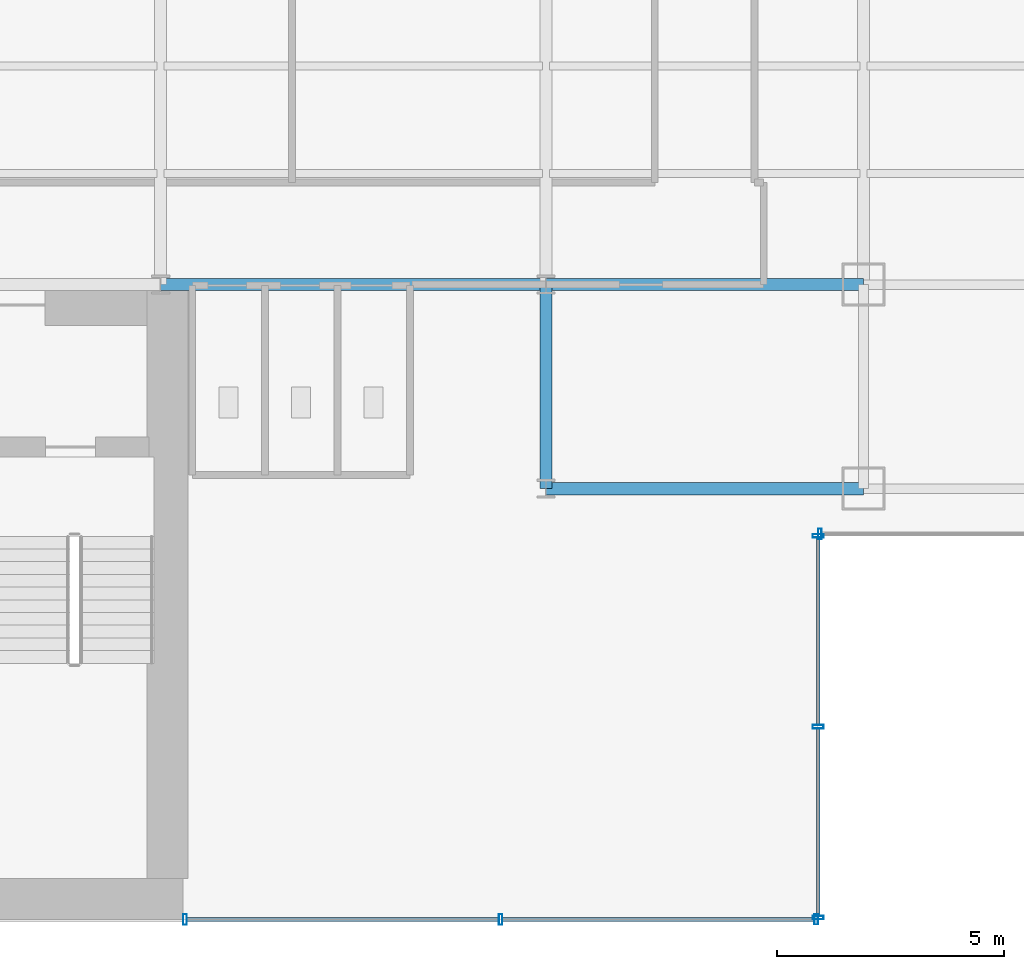
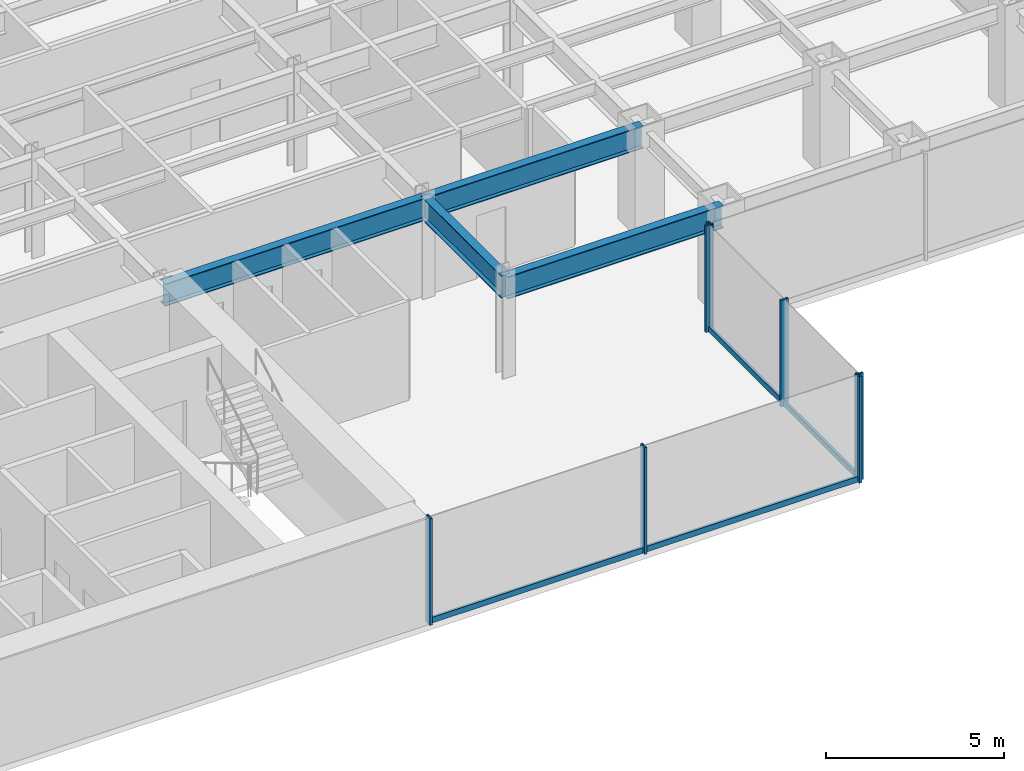
# One storey, part 6 of 22: 11 members, 4 beams, 3 elements without a shape of their own.
"""IFC4 building model written with IfcOpenShell, lengths in metres."""

from ifc_helpers import new_model, si_unit, derived_unit, direction, frame, origin, origin_2d, place, context, subcontext, project, spatial, hollow_rectangle, i_section, extrude, source, transform, mapped, material, material_profile, profile_set, type_object, element, aggregate, save


model = new_model("IFC4")

# Units and contexts
model_context = context("Model", 3, precision=1e-05, world=origin(), true_north=direction((0.0, 1.0)))
body_context = subcontext(model_context, "Body", "Model", "MODEL_VIEW")
ifc_project = project(units=[si_unit("LENGTHUNIT", "METRE"), si_unit("AREAUNIT", "SQUARE_METRE"), si_unit("VOLUMEUNIT", "CUBIC_METRE"), si_unit("PLANEANGLEUNIT", "RADIAN"), si_unit("MASSUNIT", "GRAM", prefix="KILO"), derived_unit("THERMALTRANSMITTANCEUNIT", [(si_unit("POWERUNIT", "WATT"), 1), (si_unit("LENGTHUNIT", "METRE"), -2), (si_unit("THERMODYNAMICTEMPERATUREUNIT", "KELVIN"), -1)])], contexts=[model_context])

# Site, building, storey
site_placement = place(None, origin())
site = spatial("IfcSite", under=ifc_project, at=site_placement, CompositionType="ELEMENT")
building_placement = place(site_placement, origin())
building = spatial("IfcBuilding", under=site, at=building_placement, Name="Skarnbrae Concourse Arena and Tower", CompositionType="ELEMENT")
storey_placement = place(building_placement, frame((0.0, 0.0, 69.0)))
storey = spatial("IfcBuildingStorey", under=building, at=storey_placement, Name="L16", CompositionType="ELEMENT", Elevation=69.0)

# Beams
ifc_material_1 = material(Name="Steel CSA G40.21 350W", Category="steel")
ifc_material_profile_1 = material_profile(ifc_material_1, i_section(OverallWidth=0.26806640625, OverallDepth=0.77001953125, WebThickness=0.015625, FlangeThickness=0.025390625, at=origin_2d()), Name="W760X196")
ifc_profile_set_1 = profile_set([ifc_material_profile_1], Name="Steel CSA G40.21 350W")
beam_type = type_object("IfcBeamType", Name="BM-GIRD-W760X196", PredefinedType="BEAM", material=ifc_profile_set_1)
shared_shape_1 = source(origin(), body_context, "Body", "SweptSolid", [
    extrude(i_section(OverallWidth=0.26806640625, OverallDepth=0.77001953125, WebThickness=0.015625, FlangeThickness=0.025390625, at=origin_2d()), origin(), (0.0, 0.0, 1.0), 7.0),
])
for number, where, z_axis, x_axis, name in (
    (1, (42.0, 9.5, 3.014892578125), (1.0, 0.0, 0.0), (0.0, 1.0, 0.0), "L16 Primary E-W girder Y9.5-2"),
    (2, (42.0, 14.0, 3.014892578125), (1.0, 0.0, 0.0), (0.0, 1.0, 0.0), "L16 Primary E-W girder Y14.0-7"),
):
    element("IfcBeam", number, at=place(storey_placement, frame(where, z_axis=z_axis, x_axis=x_axis)), inside=storey, type_object=beam_type, Name=name, PredefinedType="BEAM", context=body_context, shape_type="MappedRepresentation", body=[
        mapped(shared_shape_1, transform((0.0, 0.0, 0.0))),
    ])
shared_shape_2 = source(origin(), body_context, "Body", "SweptSolid", [
    extrude(i_section(OverallWidth=0.26806640625, OverallDepth=0.77001953125, WebThickness=0.015625, FlangeThickness=0.025390625, at=origin_2d()), origin(), (0.0, 0.0, 1.0), 8.5),
])
beam_1_placement = place(storey_placement, frame((33.5, 14.0, 3.014892578125), z_axis=(1.0, 0.0, 0.0), x_axis=(0.0, 1.0, 0.0)))
element("IfcBeam", 3, at=beam_1_placement, inside=storey, type_object=beam_type, Name="L16 Primary E-W girder Y14.0-6", PredefinedType="BEAM", context=body_context, shape_type="MappedRepresentation", body=[
    mapped(shared_shape_2, transform((0.0, 0.0, 0.0))),
])
shared_shape_3 = source(origin(), body_context, "Body", "SweptSolid", [
    extrude(i_section(OverallWidth=0.26806640625, OverallDepth=0.77001953125, WebThickness=0.015625, FlangeThickness=0.025390625, at=origin_2d()), origin(), (0.0, 0.0, 1.0), 4.5),
])
beam_2_placement = place(storey_placement, frame((42.0, 9.5, 3.014892578125), z_axis=(0.0, 1.0, 0.0), x_axis=(-1.0, 0.0, 0.0)))
element("IfcBeam", 4, at=beam_2_placement, inside=storey, type_object=beam_type, Name="L16 Primary N-S girder X42.0-1", PredefinedType="BEAM", context=body_context, shape_type="MappedRepresentation", body=[
    mapped(shared_shape_3, transform((0.0, 0.0, 0.0))),
])

# Curtain wall, members
ifc_material_2 = material(Name="Bronze anodised aluminium 6063-T6", Category="aluminium")
curtain_wall_type = type_object("IfcCurtainWallType", Name="CW-SYS-02-LOWZONE", PredefinedType="USERDEFINED", material=ifc_material_2)
curtain_wall_1_placement = place(storey_placement, origin())
curtain_wall_1 = element("IfcCurtainWall", 5, at=curtain_wall_1_placement, inside=storey, type_object=curtain_wall_type, Name="L16 Unitised curtain wall CW-L16-SE-SPINE", ObjectType="UNITISED CURTAIN WALL", PredefinedType="USERDEFINED")
ifc_material_profile_2 = material_profile(ifc_material_2, hollow_rectangle(XDim=0.080078125, YDim=0.239990234375, WallThickness=0.0048828125, at=origin_2d()), Name="ALU-MULL-80X240")
ifc_profile_set_2 = profile_set([ifc_material_profile_2], Name="Bronze anodised aluminium 6063-T6")
member_type_1 = type_object("IfcMemberType", Name="CWM-CW-02", PredefinedType="MULLION", material=ifc_profile_set_2)
shared_shape_4 = source(origin(), body_context, "Body", "SweptSolid", [
    extrude(hollow_rectangle(XDim=0.080078125, YDim=0.239990234375, WallThickness=0.0048828125, at=origin_2d()), origin(), (0.0, 0.0, 1.0), 3.64990234375),
])
member_1_placement = place(storey_placement, frame((34.0400390625, 0.0, 0.0), z_axis=(0.0, 0.0, 1.0), x_axis=(1.0, 0.0, 0.0)))
member_1 = element("IfcMember", 6, at=member_1_placement, type_object=member_type_1, Name="CW-L16-SE-SPINE Mullion 1", PredefinedType="MULLION", context=body_context, shape_type="MappedRepresentation", body=[
    mapped(shared_shape_4, transform((0.0, 0.0, 0.0))),
])
member_2_placement = place(storey_placement, frame((41.0, 0.0, 0.0), z_axis=(0.0, 0.0, 1.0), x_axis=(1.0, 0.0, 0.0)))
member_2 = element("IfcMember", 7, at=member_2_placement, type_object=member_type_1, Name="CW-L16-SE-SPINE Mullion 2", PredefinedType="MULLION", context=body_context, shape_type="MappedRepresentation", body=[
    mapped(shared_shape_4, transform((0.0, 0.0, 0.0))),
])
member_3_placement = place(storey_placement, frame((47.9599609375, 0.0, 0.0), z_axis=(0.0, 0.0, 1.0), x_axis=(1.0, 0.0, 0.0)))
member_3 = element("IfcMember", 8, at=member_3_placement, type_object=member_type_1, Name="CW-L16-SE-SPINE Mullion 3", PredefinedType="MULLION", context=body_context, shape_type="MappedRepresentation", body=[
    mapped(shared_shape_4, transform((0.0, 0.0, 0.0))),
])

curtain_wall_2_placement = place(storey_placement, origin())
curtain_wall_2 = element("IfcCurtainWall", 9, at=curtain_wall_2_placement, inside=storey, type_object=curtain_wall_type, Name="L16 Unitised curtain wall CW-L16-E02", ObjectType="UNITISED CURTAIN WALL", PredefinedType="USERDEFINED")
member_4_placement = place(storey_placement, frame((48.0, 0.0400390625, 0.0), z_axis=(0.0, 0.0, 1.0), x_axis=(0.0, 1.0, 0.0)))
member_4 = element("IfcMember", 10, at=member_4_placement, type_object=member_type_1, Name="CW-L16-E02 Mullion 1", PredefinedType="MULLION", context=body_context, shape_type="MappedRepresentation", body=[
    mapped(shared_shape_4, transform((0.0, 0.0, 0.0))),
])
member_5_placement = place(storey_placement, frame((48.0, 4.25, 0.0), z_axis=(0.0, 0.0, 1.0), x_axis=(0.0, 1.0, 0.0)))
member_5 = element("IfcMember", 11, at=member_5_placement, type_object=member_type_1, Name="CW-L16-E02 Mullion 2", PredefinedType="MULLION", context=body_context, shape_type="MappedRepresentation", body=[
    mapped(shared_shape_4, transform((0.0, 0.0, 0.0))),
])
member_6_placement = place(storey_placement, frame((48.0, 8.4599609375, 0.0), z_axis=(0.0, 0.0, 1.0), x_axis=(0.0, 1.0, 0.0)))
member_6 = element("IfcMember", 12, at=member_6_placement, type_object=member_type_1, Name="CW-L16-E02 Mullion 3", PredefinedType="MULLION", context=body_context, shape_type="MappedRepresentation", body=[
    mapped(shared_shape_4, transform((0.0, 0.0, 0.0))),
])

# Curtain wall, member
curtain_wall_3_placement = place(storey_placement, origin())
curtain_wall_3 = element("IfcCurtainWall", 13, at=curtain_wall_3_placement, inside=storey, type_object=curtain_wall_type, Name="L16 Unitised curtain wall CW-L16-E03", ObjectType="UNITISED CURTAIN WALL", PredefinedType="USERDEFINED")
member_7_placement = place(storey_placement, frame((48.0400390625, 8.5, 0.0), z_axis=(0.0, 0.0, 1.0), x_axis=(1.0, 0.0, 0.0)))
member_7 = element("IfcMember", 14, at=member_7_placement, type_object=member_type_1, Name="CW-L16-E03 Mullion 1", PredefinedType="MULLION", context=body_context, shape_type="MappedRepresentation", body=[
    mapped(shared_shape_4, transform((0.0, 0.0, 0.0))),
])
aggregate(curtain_wall_3, [member_7])

# Member
ifc_material_profile_3 = material_profile(ifc_material_2, hollow_rectangle(XDim=0.080078125, YDim=0.18994140625, WallThickness=0.0048828125, at=origin_2d()), Name="ALU-TRAN-80X190")
ifc_profile_set_3 = profile_set([ifc_material_profile_3], Name="Bronze anodised aluminium 6063-T6")
member_type_2 = type_object("IfcMemberType", Name="CWT-CW-02", PredefinedType="USERDEFINED", material=ifc_profile_set_3)
shared_shape_5 = source(origin(), body_context, "Body", "SweptSolid", [
    extrude(hollow_rectangle(XDim=0.080078125, YDim=0.18994140625, WallThickness=0.0048828125, at=origin_2d()), origin(), (0.0, 0.0, 1.0), 6.8798828125),
])
member_8_placement = place(storey_placement, frame((34.080078125, 0.0, 0.094970703125), z_axis=(1.0, 0.0, 0.0), x_axis=(0.0, 1.0, 0.0)))
member_8 = element("IfcMember", 15, at=member_8_placement, type_object=member_type_2, Name="CW-L16-SE-SPINE Transom 1", ObjectType="TRANSOM", PredefinedType="USERDEFINED", context=body_context, shape_type="MappedRepresentation", body=[
    mapped(shared_shape_5, transform((0.0, 0.0, 0.0))),
])

member_9_placement = place(storey_placement, frame((41.0400390625, 0.0, 0.094970703125), z_axis=(1.0, 0.0, 0.0), x_axis=(0.0, 1.0, 0.0)))
member_9 = element("IfcMember", 16, at=member_9_placement, type_object=member_type_2, Name="CW-L16-SE-SPINE Transom 2", ObjectType="TRANSOM", PredefinedType="USERDEFINED", context=body_context, shape_type="MappedRepresentation", body=[
    mapped(shared_shape_5, transform((0.0, 0.0, 0.0))),
])

aggregate(curtain_wall_1, [member_1, member_2, member_3, member_8, member_9])

shared_shape_6 = source(origin(), body_context, "Body", "SweptSolid", [
    extrude(hollow_rectangle(XDim=0.080078125, YDim=0.18994140625, WallThickness=0.0048828125, at=origin_2d()), origin(), (0.0, 0.0, 1.0), 4.1298828125),
])
member_10_placement = place(storey_placement, frame((48.0, 0.080078125, 0.094970703125), z_axis=(0.0, 1.0, 0.0), x_axis=(-1.0, 0.0, 0.0)))
member_10 = element("IfcMember", 17, at=member_10_placement, type_object=member_type_2, Name="CW-L16-E02 Transom 1", ObjectType="TRANSOM", PredefinedType="USERDEFINED", context=body_context, shape_type="MappedRepresentation", body=[
    mapped(shared_shape_6, transform((0.0, 0.0, 0.0))),
])

member_11_placement = place(storey_placement, frame((48.0, 4.2900390625, 0.094970703125), z_axis=(0.0, 1.0, 0.0), x_axis=(-1.0, 0.0, 0.0)))
member_11 = element("IfcMember", 18, at=member_11_placement, type_object=member_type_2, Name="CW-L16-E02 Transom 2", ObjectType="TRANSOM", PredefinedType="USERDEFINED", context=body_context, shape_type="MappedRepresentation", body=[
    mapped(shared_shape_6, transform((0.0, 0.0, 0.0))),
])

aggregate(curtain_wall_2, [member_4, member_5, member_6, member_10, member_11])

save(model, "model.ifc")
